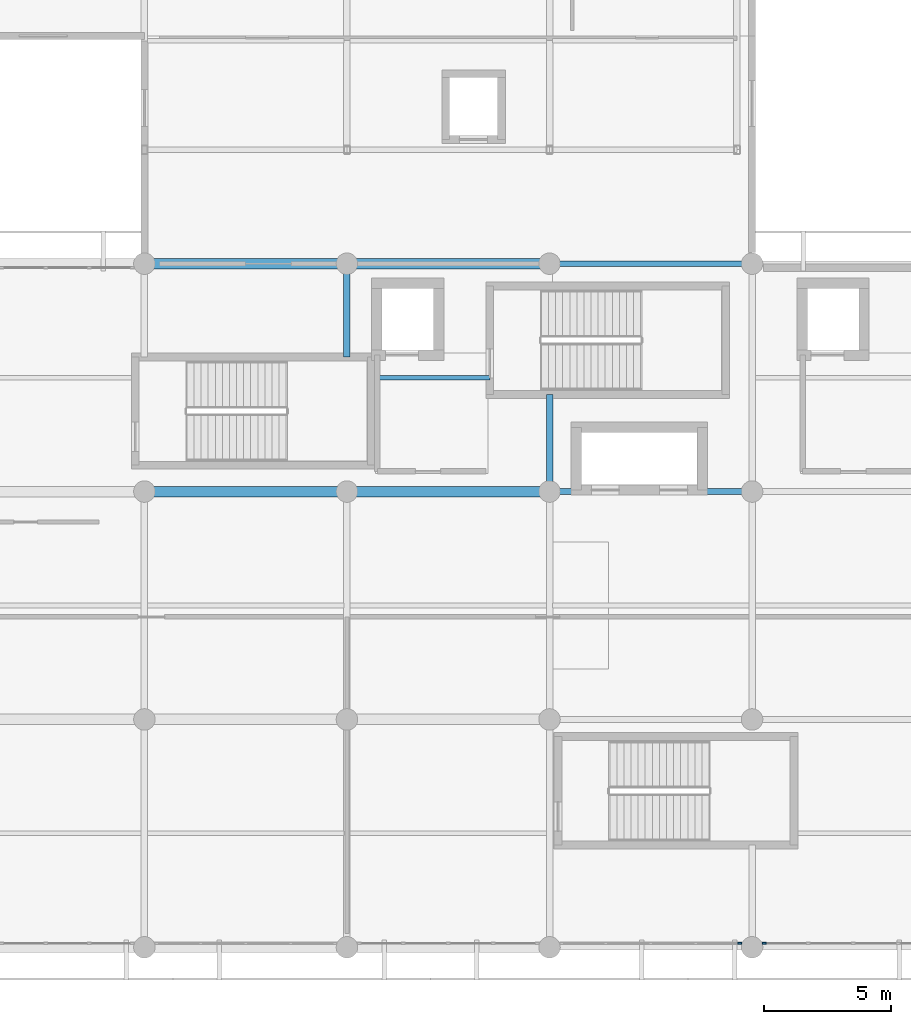
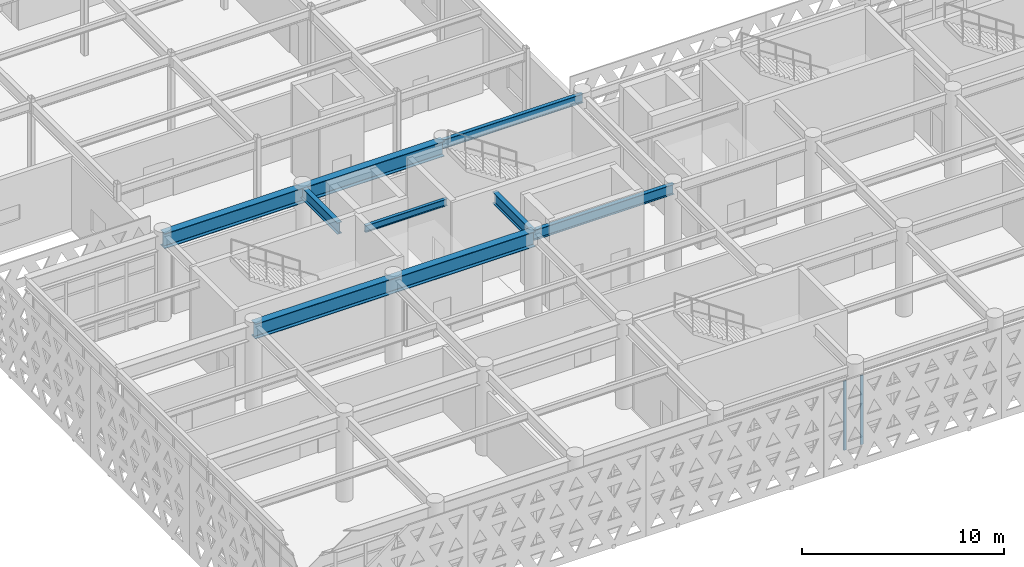
# One storey, part 13 of 84: 7 beams, 2 members, 2 elements without a shape of their own.
"""IFC4 building model written with IfcOpenShell, lengths in metres."""

from ifc_helpers import new_model, si_unit, direction, frame, origin, origin_2d, place, context, subcontext, project, spatial, rectangle, i_section, extrude, material, layer, layer_set, material_profile, profile_set, type_object, element, aggregate, save


model = new_model("IFC4")

# Units and contexts
model_context = context("Model", 3, precision=1e-05, world=origin(), true_north=direction((0.0, 1.0)))
body_context = subcontext(model_context, "Body", "Model", "MODEL_VIEW")
ifc_project = project(units=[si_unit("LENGTHUNIT", "METRE"), si_unit("AREAUNIT", "SQUARE_METRE"), si_unit("VOLUMEUNIT", "CUBIC_METRE"), si_unit("PLANEANGLEUNIT", "RADIAN"), si_unit("MASSUNIT", "GRAM", prefix="KILO")], contexts=[model_context])

# Site, building, storey
site_placement = place(None, origin())
site = spatial("IfcSite", under=ifc_project, at=site_placement, CompositionType="ELEMENT")
building_placement = place(site_placement, origin())
building = spatial("IfcBuilding", under=site, at=building_placement, Name="Tlacozan Convention Centre", CompositionType="ELEMENT")
storey_placement = place(building_placement, frame((0.0, 0.0, 6.0)))
storey = spatial("IfcBuildingStorey", under=building, at=storey_placement, Name="L01", CompositionType="ELEMENT", Elevation=6.0)

# Curtain wall, member
ifc_material_1 = material(Name="Dark Bronze Anodised Aluminium", Category="aluminium")
ifc_layer = layer(ifc_material_1, 0.159912109375)
ifc_layer_set = layer_set([ifc_layer], Name="Dark Bronze Anodised Aluminium")
curtain_wall_type = type_object("IfcCurtainWallType", Name="Unitised Congress L01 South CW02", PredefinedType="NOTDEFINED", material=ifc_layer_set)
curtain_wall_1_placement = place(storey_placement, origin())
curtain_wall_1 = element("IfcCurtainWall", 1, at=curtain_wall_1_placement, inside=storey, type_object=curtain_wall_type, Name="L01 CW-02 Run 58", PredefinedType="NOTDEFINED")
ifc_material_profile_1 = material_profile(ifc_material_1, rectangle(XDim=0.06494140625, YDim=0.159912109375, at=origin_2d()), Name="ALU 65x160")
ifc_profile_set_1 = profile_set([ifc_material_profile_1], Name="Dark Bronze Anodised Aluminium")
member_type = type_object("IfcMemberType", Name="Curtain Wall Mullion 65x160", PredefinedType="MULLION", material=ifc_profile_set_1)
member_1_placement = place(storey_placement, frame((31.517578125, 0.159912109375, 0.0), z_axis=(0.0, 0.0, 1.0), x_axis=(0.0, 1.0, 0.0)))
member_1 = element("IfcMember", 2, at=member_1_placement, type_object=member_type, Name="CW-02 mullion 5", PredefinedType="MULLION", context=body_context, shape_type="SweptSolid", body=[
    extrude(rectangle(XDim=0.06494140625, YDim=0.159912109375, at=origin_2d()), origin(), (0.0, 0.0, 1.0), 4.179931640625),
])
aggregate(curtain_wall_1, [member_1])

curtain_wall_2_placement = place(storey_placement, origin())
curtain_wall_2 = element("IfcCurtainWall", 3, at=curtain_wall_2_placement, inside=storey, type_object=curtain_wall_type, Name="L01 CW-02 Run 59", PredefinedType="NOTDEFINED")
member_2_placement = place(storey_placement, frame((32.482421875, 0.159912109375, 0.0), z_axis=(0.0, 0.0, 1.0), x_axis=(0.0, 1.0, 0.0)))
member_2 = element("IfcMember", 4, at=member_2_placement, type_object=member_type, Name="CW-02 mullion 1", PredefinedType="MULLION", context=body_context, shape_type="SweptSolid", body=[
    extrude(rectangle(XDim=0.06494140625, YDim=0.159912109375, at=origin_2d()), origin(), (0.0, 0.0, 1.0), 4.179931640625),
])
aggregate(curtain_wall_2, [member_2])

# Beams
ifc_material_2 = material(Name="Steel ASTM A992 Grade 50", Category="steel")
ifc_material_profile_2 = material_profile(ifc_material_2, i_section(OverallWidth=0.22900390625, OverallDepth=0.612060546875, WebThickness=0.011962890625, FlangeThickness=0.01953125, FilletRadius=0.012939453125, at=origin_2d()), Name="IR 610x125.0")
ifc_profile_set_2 = profile_set([ifc_material_profile_2], Name="Steel ASTM A992 Grade 50")
beam_type_1 = type_object("IfcBeamType", Name="Floor Beam IR 610x125", PredefinedType="BEAM", material=ifc_profile_set_2)
beam_1_placement = place(storey_placement, frame((24.0, 18.0, 4.833984375), z_axis=(1.0, 0.0, 0.0), x_axis=(0.0, 1.0, 0.0)))
element("IfcBeam", 5, at=beam_1_placement, inside=storey, type_object=beam_type_1, Name="L01 Floor Beam IR 610x125 329", PredefinedType="BEAM", context=body_context, shape_type="SweptSolid", body=[
    extrude(i_section(OverallWidth=0.22900390625, OverallDepth=0.612060546875, WebThickness=0.011962890625, FlangeThickness=0.01953125, FilletRadius=0.012939453125, at=origin_2d()), origin(), (0.0, 0.0, 1.0), 8.0),
])
ifc_material_profile_3 = material_profile(ifc_material_2, i_section(OverallWidth=0.256103515625, OverallDepth=0.693115234375, WebThickness=0.014404296875, FlangeThickness=0.023681640625, FilletRadius=0.014892578125, at=origin_2d()), Name="IR 686x170.0")
ifc_profile_set_3 = profile_set([ifc_material_profile_3], Name="Steel ASTM A992 Grade 50")
beam_type_2 = type_object("IfcBeamType", Name="Girder Steel IR 686x170", PredefinedType="BEAM", material=ifc_profile_set_3)
beam_2_placement = place(storey_placement, frame((16.0, 23.320068359375, 4.79345703125), z_axis=(0.0, 1.0, 0.0), x_axis=(-1.0, 0.0, 0.0)))
element("IfcBeam", 6, at=beam_2_placement, inside=storey, type_object=beam_type_2, Name="L01 Girder Steel IR 686x170 268", PredefinedType="BEAM", context=body_context, shape_type="SweptSolid", body=[
    extrude(i_section(OverallWidth=0.256103515625, OverallDepth=0.693115234375, WebThickness=0.014404296875, FlangeThickness=0.023681640625, FilletRadius=0.014892578125, at=origin_2d()), origin(), (0.0, 0.0, 1.0), 3.679931640625),
])
beam_3_placement = place(storey_placement, frame((24.0, 18.0, 4.79345703125), z_axis=(0.0, 1.0, 0.0), x_axis=(-1.0, 0.0, 0.0)))
element("IfcBeam", 7, at=beam_3_placement, inside=storey, type_object=beam_type_2, Name="L01 Girder Steel IR 686x170 271", PredefinedType="BEAM", context=body_context, shape_type="SweptSolid", body=[
    extrude(i_section(OverallWidth=0.256103515625, OverallDepth=0.693115234375, WebThickness=0.014404296875, FlangeThickness=0.023681640625, FilletRadius=0.014892578125, at=origin_2d()), origin(), (0.0, 0.0, 1.0), 3.840087890625),
])
ifc_material_profile_4 = material_profile(ifc_material_2, i_section(OverallWidth=0.2109375, OverallDepth=0.5390625, WebThickness=0.01171875, FlangeThickness=0.018798828125, FilletRadius=0.012939453125, at=origin_2d()), Name="IR 533x109.0")
ifc_profile_set_4 = profile_set([ifc_material_profile_4], Name="Steel ASTM A992 Grade 50")
beam_type_3 = type_object("IfcBeamType", Name="Perimeter Spandrel IR 533x109", PredefinedType="SPANDREL", material=ifc_profile_set_4)
beam_4_placement = place(storey_placement, frame((24.0, 27.0, 4.87060546875), z_axis=(1.0, 0.0, 0.0), x_axis=(0.0, 1.0, 0.0)))
element("IfcBeam", 8, at=beam_4_placement, inside=storey, type_object=beam_type_3, Name="L01 Perimeter Spandrel IR 533x109 330", PredefinedType="SPANDREL", context=body_context, shape_type="SweptSolid", body=[
    extrude(i_section(OverallWidth=0.2109375, OverallDepth=0.5390625, WebThickness=0.01171875, FlangeThickness=0.018798828125, FilletRadius=0.012939453125, at=origin_2d()), origin(), (0.0, 0.0, 1.0), 8.0),
])
ifc_material_profile_5 = material_profile(ifc_material_2, i_section(OverallWidth=0.179931640625, OverallDepth=0.4130859375, WebThickness=0.009765625, FlangeThickness=0.01611328125, FilletRadius=0.010986328125, at=origin_2d()), Name="IR 406x74.4")
ifc_profile_set_5 = profile_set([ifc_material_profile_5], Name="Steel ASTM A992 Grade 50")
beam_type_4 = type_object("IfcBeamType", Name="Secondary Joist IR 406x74.4", PredefinedType="JOIST", material=ifc_profile_set_5)
beam_5_placement = place(storey_placement, frame((16.9599609375, 22.5, 4.93359375), z_axis=(1.0, 0.0, 0.0), x_axis=(0.0, 1.0, 0.0)))
element("IfcBeam", 9, at=beam_5_placement, inside=storey, type_object=beam_type_4, Name="L01 Secondary Joist IR 406x74.4 370", PredefinedType="JOIST", context=body_context, shape_type="SweptSolid", body=[
    extrude(i_section(OverallWidth=0.179931640625, OverallDepth=0.4130859375, WebThickness=0.009765625, FlangeThickness=0.01611328125, FilletRadius=0.010986328125, at=origin_2d()), origin(), (0.0, 0.0, 1.0), 4.679931640625),
])
ifc_material_profile_6 = material_profile(ifc_material_2, i_section(OverallWidth=0.41796875, OverallDepth=0.912109375, WebThickness=0.019287109375, FlangeThickness=0.031982421875, FilletRadius=0.02001953125, at=origin_2d()), Name="IR 914x342.0")
ifc_profile_set_6 = profile_set([ifc_material_profile_6], Name="Steel ASTM A992 Grade 50")
beam_type_5 = type_object("IfcBeamType", Name="Transfer Girder IR 914x342", PredefinedType="BEAM", material=ifc_profile_set_6)
for number, where, z_axis, x_axis, name in (
    (10, (24.0, 18.0, 4.68408203125), (-1.0, 0.0, 0.0), (0.0, -1.0, 0.0), "L01 Transfer Girder IR 914x342 319"),
    (11, (24.0, 27.0, 4.68408203125), (-1.0, 0.0, 0.0), (0.0, -1.0, 0.0), "L01 Transfer Girder IR 914x342 323"),
):
    element("IfcBeam", number, at=place(storey_placement, frame(where, z_axis=z_axis, x_axis=x_axis)), inside=storey, type_object=beam_type_5, Name=name, PredefinedType="BEAM", context=body_context, shape_type="SweptSolid", body=[
        extrude(i_section(OverallWidth=0.41796875, OverallDepth=0.912109375, WebThickness=0.019287109375, FlangeThickness=0.031982421875, FilletRadius=0.02001953125, at=origin_2d()), origin(), (0.0, 0.0, 1.0), 16.0),
    ])

save(model, "model.ifc")
